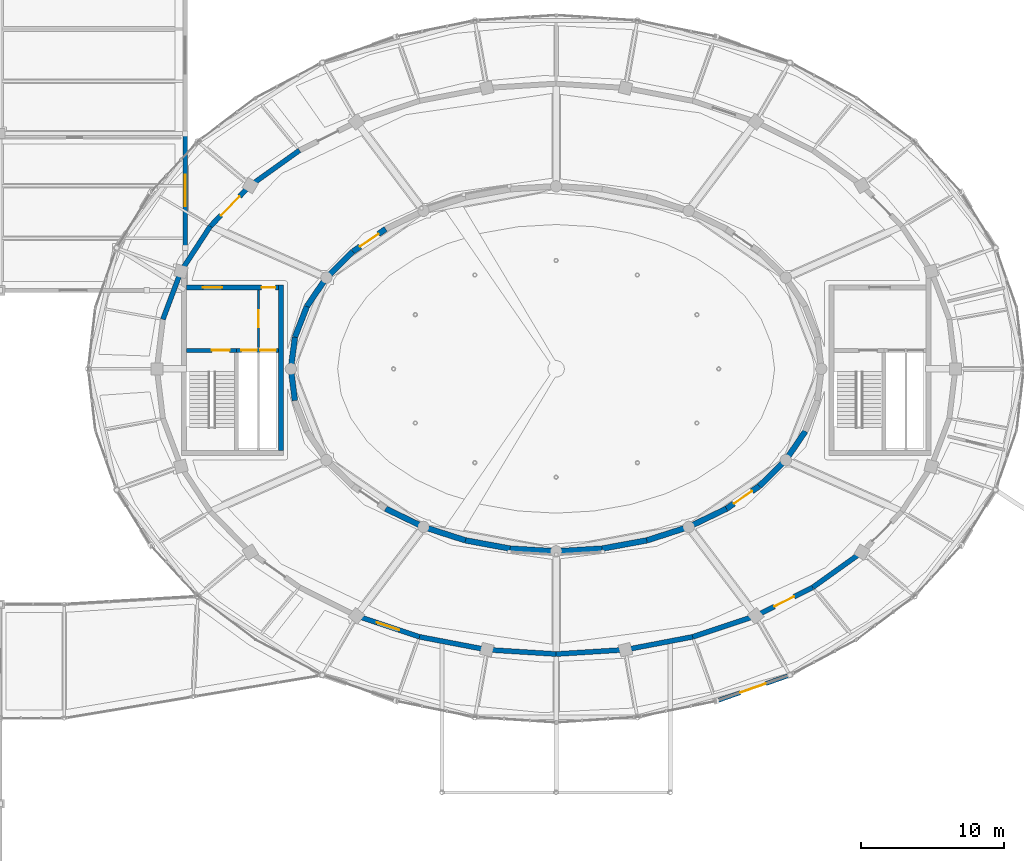
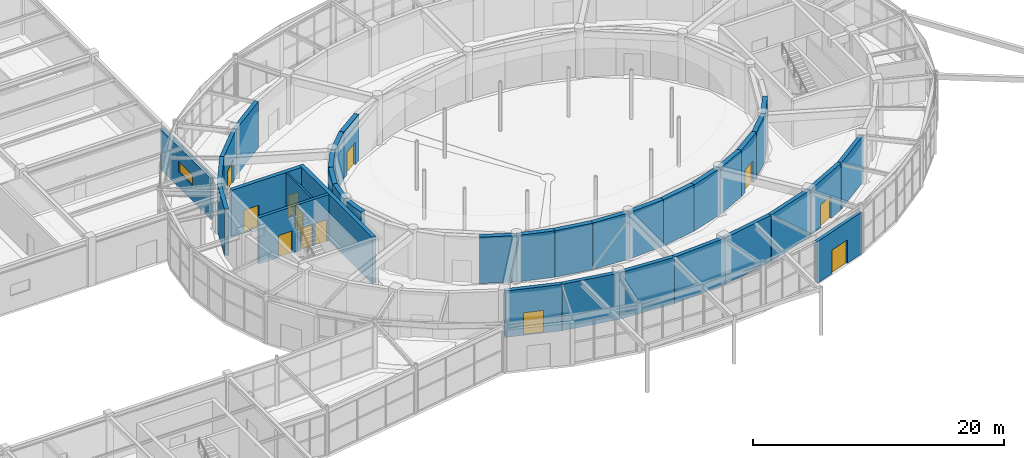
# One storey, part 88 of 108: 36 walls, 12 doors, 1 window, 13 openings.
"""IFC4 building model written with IfcOpenShell, lengths in metres."""

from ifc_helpers import new_model, si_unit, direction, frame, frame_2d, origin, place, context, subcontext, project, spatial, rectangle, extrude, material, layer, layer_set, type_object, element, fill, save


model = new_model("IFC4")

# Units and contexts
model_context = context("Model", 3, precision=1e-05, world=origin(), true_north=direction((0.0, 1.0)))
body_context = subcontext(model_context, "Body", "Model", "MODEL_VIEW")
ifc_project = project(units=[si_unit("LENGTHUNIT", "METRE"), si_unit("AREAUNIT", "SQUARE_METRE"), si_unit("VOLUMEUNIT", "CUBIC_METRE"), si_unit("PLANEANGLEUNIT", "RADIAN"), si_unit("MASSUNIT", "GRAM", prefix="KILO")], contexts=[model_context])

# Site, building, storey
site_placement = place(None, origin())
site = spatial("IfcSite", under=ifc_project, at=site_placement, CompositionType="ELEMENT")
building_placement = place(site_placement, origin())
building = spatial("IfcBuilding", under=site, at=building_placement, Name="Tarnveldt Headland Concert Hall", CompositionType="ELEMENT")
storey_placement = place(building_placement, origin())
storey = spatial("IfcBuildingStorey", under=building, at=storey_placement, Name="L00", CompositionType="ELEMENT", Elevation=0.0)

# Wall, opening, door
ifc_material_1 = material(Name="Concrete C40/50", Category="concrete")
ifc_layer_1 = layer(ifc_material_1, 0.39990234375, Name="Concrete C40/50", Category="concrete")
ifc_layer_set_1 = layer_set([ifc_layer_1], Name="Concrete C40/50")
wall_type_1 = type_object("IfcWallType", Name="WL-AC400", PredefinedType="SOLIDWALL", material=ifc_layer_set_1)
wall_1_placement = place(storey_placement, frame((71.544189453125, 64.305419921875, 0.0), z_axis=(0.0, 0.0, 1.0), x_axis=(-0.823780742291, -0.566908536388, 0.0)))
wall_1 = element("IfcWall", 1, at=wall_1_placement, inside=storey, type_object=wall_type_1, Name="Acoustic inner box wall L00-14", PredefinedType="SOLIDWALL", context=body_context, shape_type="SweptSolid", body=[
    extrude(rectangle(XDim=2.782958984375, YDim=0.39990234375, at=frame_2d((1.3916015625, 0.0))), origin(), (0.0, 0.0, 1.0), 4.52001953125),
])
opening_1_placement = place(wall_1_placement, frame((0.616455078125, 0.0, 0.0)))
opening_1 = element("IfcOpeningElement", 2, at=opening_1_placement, cuts=wall_1, Name="Opening AD-I030", PredefinedType="OPENING", context=body_context, shape_type="SweptSolid", body=[
    extrude(rectangle(XDim=1.550048828125, YDim=2.179931640625, at=frame_2d((0.77490234375, 1.08984375))), frame((0.0, 0.2099609375, 0.0), z_axis=(0.0, -1.0, 0.0), x_axis=(1.0, 0.0, 0.0)), (0.0, 0.0, 1.0), 0.419921875),
])
ifc_material_2 = material(Name="Treated East African mvule hardwood", Category="wood")
door_type_1 = type_object("IfcDoorType", Name="DR-AC155", OperationType="NOTDEFINED", PredefinedType="DOOR", material=ifc_material_2)
door_1_placement = place(opening_1_placement, origin())
door_1 = element("IfcDoor", 3, at=door_1_placement, inside=storey, type_object=door_type_1, Name="Auditorium sound-lock vomitory door L00-14", OperationType="SINGLE_SWING_RIGHT", OverallHeight=2.179931640625, OverallWidth=1.550048828125, PredefinedType="DOOR", context=body_context, shape_type="SweptSolid", body=[
    extrude(rectangle(XDim=1.550048828125, YDim=2.179931640625, at=frame_2d((0.77490234375, 1.08984375))), frame((0.0, 0.02490234375, 0.0), z_axis=(0.0, -1.0, 0.0), x_axis=(1.0, 0.0, 0.0)), (0.0, 0.0, 1.0), 0.050048828125),
])
fill(opening_1, door_1)

# Walls
wall_2_placement = place(storey_placement, frame((69.251708984375, 62.727783203125, 0.0), z_axis=(0.0, 0.0, 1.0), x_axis=(-0.713212431679, -0.700947949065, 0.0)))
element("IfcWall", 4, at=wall_2_placement, inside=storey, type_object=wall_type_1, Name="Acoustic inner box wall L00-15", PredefinedType="SOLIDWALL", context=body_context, shape_type="SweptSolid", body=[
    extrude(rectangle(XDim=2.607666015625, YDim=0.39990234375, at=frame_2d((1.3037109375, 0.0))), origin(), (0.0, 0.0, 1.0), 4.52001953125),
])
wall_3_placement = place(storey_placement, frame((67.391845703125, 60.89990234375, 0.0), z_axis=(0.0, 0.0, 1.0), x_axis=(-0.560958648975, -0.827843822312, 0.0)))
element("IfcWall", 5, at=wall_3_placement, inside=storey, type_object=wall_type_1, Name="Acoustic inner box wall L00-16", PredefinedType="SOLIDWALL", context=body_context, shape_type="SweptSolid", body=[
    extrude(rectangle(XDim=2.4423828125, YDim=0.39990234375, at=frame_2d((1.22119140625, 0.0))), origin(), (0.0, 0.0, 1.0), 4.52001953125),
])
wall_4_placement = place(storey_placement, frame((66.021728515625, 58.8779296875, 0.0), z_axis=(0.0, 0.0, 1.0), x_axis=(-0.362802811216, -0.931865934657, 0.0)))
element("IfcWall", 6, at=wall_4_placement, inside=storey, type_object=wall_type_1, Name="Acoustic inner box wall L00-17", PredefinedType="SOLIDWALL", context=body_context, shape_type="SweptSolid", body=[
    extrude(rectangle(XDim=2.312744140625, YDim=0.39990234375, at=frame_2d((1.15625, 0.0))), origin(), (0.0, 0.0, 1.0), 4.52001953125),
])
for number, where, z_axis, x_axis, name in (
    (7, (65.1826171875, 56.72265625, 0.0), (0.0, 0.0, 1.0), (-0.126180195213, -0.992007337844, 0.0), "Acoustic inner box wall L00-18"),
    (8, (64.89990234375, 54.5, 0.0), (0.0, 0.0, 1.0), (0.126180195213, -0.992007337844, 0.0), "Acoustic inner box wall L00-19"),
):
    element("IfcWall", number, at=place(storey_placement, frame(where, z_axis=z_axis, x_axis=x_axis)), inside=storey, type_object=wall_type_1, Name=name, PredefinedType="SOLIDWALL", context=body_context, shape_type="SweptSolid", body=[
        extrude(rectangle(XDim=2.240478515625, YDim=0.39990234375, at=frame_2d((1.1201171875, 0.0))), origin(), (0.0, 0.0, 1.0), 4.52001953125),
    ])
wall_5_placement = place(storey_placement, frame((71.544189453125, 44.694580078125, 0.0), z_axis=(0.0, 0.0, 1.0), x_axis=(0.900857755122, -0.434114391648, 0.0)))
element("IfcWall", 9, at=wall_5_placement, inside=storey, type_object=wall_type_1, Name="Acoustic inner box wall L00-24", PredefinedType="SOLIDWALL", context=body_context, shape_type="SweptSolid", body=[
    extrude(rectangle(XDim=2.947998046875, YDim=0.39990234375, at=frame_2d((1.47412109375, 0.0))), origin(), (0.0, 0.0, 1.0), 4.52001953125),
])
wall_6_placement = place(storey_placement, frame((74.199951171875, 43.414794921875, 0.0), z_axis=(0.0, 0.0, 1.0), x_axis=(0.952183186678, -0.305527705795, 0.0)))
element("IfcWall", 10, at=wall_6_placement, inside=storey, type_object=wall_type_1, Name="Acoustic inner box wall L00-25", PredefinedType="SOLIDWALL", context=body_context, shape_type="SweptSolid", body=[
    extrude(rectangle(XDim=3.0859375, YDim=0.39990234375, at=frame_2d((1.54296875, 0.0))), origin(), (0.0, 0.0, 1.0), 4.52001953125),
])
wall_7_placement = place(storey_placement, frame((77.138427734375, 42.471923828125, 0.0), z_axis=(0.0, 0.0, 1.0), x_axis=(0.9834240594, -0.18132048807, 0.0)))
element("IfcWall", 11, at=wall_7_placement, inside=storey, type_object=wall_type_1, Name="Acoustic inner box wall L00-26", PredefinedType="SOLIDWALL", context=body_context, shape_type="SweptSolid", body=[
    extrude(rectangle(XDim=3.184326171875, YDim=0.39990234375, at=frame_2d((1.59228515625, 0.0))), origin(), (0.0, 0.0, 1.0), 4.52001953125),
])
for number, where, z_axis, x_axis, name in (
    (12, (80.27001953125, 41.89453125, 0.0), (0.0, 0.0, 1.0), (0.99819038223, -0.060132859761, 0.0), "Acoustic inner box wall L00-27"),
    (13, (83.5, 41.699951171875, 0.0), (0.0, 0.0, 1.0), (0.99819038223, 0.060132859761, 0.0), "Acoustic inner box wall L00-28"),
):
    element("IfcWall", number, at=place(storey_placement, frame(where, z_axis=z_axis, x_axis=x_axis)), inside=storey, type_object=wall_type_1, Name=name, PredefinedType="SOLIDWALL", context=body_context, shape_type="SweptSolid", body=[
        extrude(rectangle(XDim=3.23583984375, YDim=0.39990234375, at=frame_2d((1.617919921875, 0.0))), origin(), (0.0, 0.0, 1.0), 4.52001953125),
    ])
wall_8_placement = place(storey_placement, frame((86.72998046875, 41.89453125, 0.0), z_axis=(0.0, 0.0, 1.0), x_axis=(0.9834240594, 0.18132048807, 0.0)))
element("IfcWall", 14, at=wall_8_placement, inside=storey, type_object=wall_type_1, Name="Acoustic inner box wall L00-29", PredefinedType="SOLIDWALL", context=body_context, shape_type="SweptSolid", body=[
    extrude(rectangle(XDim=3.184326171875, YDim=0.39990234375, at=frame_2d((1.59228515625, 0.0))), origin(), (0.0, 0.0, 1.0), 4.52001953125),
])
wall_9_placement = place(storey_placement, frame((89.861572265625, 42.471923828125, 0.0), z_axis=(0.0, 0.0, 1.0), x_axis=(0.952183186678, 0.305527705795, 0.0)))
element("IfcWall", 15, at=wall_9_placement, inside=storey, type_object=wall_type_1, Name="Acoustic inner box wall L00-30", PredefinedType="SOLIDWALL", context=body_context, shape_type="SweptSolid", body=[
    extrude(rectangle(XDim=3.0859375, YDim=0.39990234375, at=frame_2d((1.54296875, 0.0))), origin(), (0.0, 0.0, 1.0), 4.52001953125),
])
wall_10_placement = place(storey_placement, frame((92.800048828125, 43.414794921875, 0.0), z_axis=(0.0, 0.0, 1.0), x_axis=(0.900857755122, 0.434114391648, 0.0)))
element("IfcWall", 16, at=wall_10_placement, inside=storey, type_object=wall_type_1, Name="Acoustic inner box wall L00-31", PredefinedType="SOLIDWALL", context=body_context, shape_type="SweptSolid", body=[
    extrude(rectangle(XDim=2.947998046875, YDim=0.39990234375, at=frame_2d((1.47412109375, 0.0))), origin(), (0.0, 0.0, 1.0), 4.52001953125),
])

# Wall, opening, door
wall_11_placement = place(storey_placement, frame((95.455810546875, 44.694580078125, 0.0), z_axis=(0.0, 0.0, 1.0), x_axis=(0.823780742291, 0.566908536388, 0.0)))
wall_11 = element("IfcWall", 17, at=wall_11_placement, inside=storey, type_object=wall_type_1, Name="Acoustic inner box wall L00-32", PredefinedType="SOLIDWALL", context=body_context, shape_type="SweptSolid", body=[
    extrude(rectangle(XDim=2.782958984375, YDim=0.39990234375, at=frame_2d((1.3916015625, 0.0))), origin(), (0.0, 0.0, 1.0), 4.52001953125),
])
opening_2_placement = place(wall_11_placement, frame((0.616455078125, 0.0, 0.0)))
opening_2 = element("IfcOpeningElement", 18, at=opening_2_placement, cuts=wall_11, Name="Opening AD-I032", PredefinedType="OPENING", context=body_context, shape_type="SweptSolid", body=[
    extrude(rectangle(XDim=1.550048828125, YDim=2.179931640625, at=frame_2d((0.77490234375, 1.08984375))), frame((0.0, 0.2099609375, 0.0), z_axis=(0.0, -1.0, 0.0), x_axis=(1.0, 0.0, 0.0)), (0.0, 0.0, 1.0), 0.419921875),
])
door_2_placement = place(opening_2_placement, origin())
door_2 = element("IfcDoor", 19, at=door_2_placement, inside=storey, type_object=door_type_1, Name="Auditorium sound-lock vomitory door L00-32", OperationType="SINGLE_SWING_RIGHT", OverallHeight=2.179931640625, OverallWidth=1.550048828125, PredefinedType="DOOR", context=body_context, shape_type="SweptSolid", body=[
    extrude(rectangle(XDim=1.550048828125, YDim=2.179931640625, at=frame_2d((0.77490234375, 1.08984375))), frame((0.0, 0.02490234375, 0.0), z_axis=(0.0, -1.0, 0.0), x_axis=(1.0, 0.0, 0.0)), (0.0, 0.0, 1.0), 0.050048828125),
])
fill(opening_2, door_2)

# Walls
wall_12_placement = place(storey_placement, frame((97.748291015625, 46.272216796875, 0.0), z_axis=(0.0, 0.0, 1.0), x_axis=(0.713212431679, 0.700947949065, 0.0)))
element("IfcWall", 20, at=wall_12_placement, inside=storey, type_object=wall_type_1, Name="Acoustic inner box wall L00-33", PredefinedType="SOLIDWALL", context=body_context, shape_type="SweptSolid", body=[
    extrude(rectangle(XDim=2.607666015625, YDim=0.39990234375, at=frame_2d((1.3037109375, 0.0))), origin(), (0.0, 0.0, 1.0), 4.52001953125),
])
wall_13_placement = place(storey_placement, frame((99.608154296875, 48.10009765625, 0.0), z_axis=(0.0, 0.0, 1.0), x_axis=(0.560958648975, 0.827843822312, 0.0)))
element("IfcWall", 21, at=wall_13_placement, inside=storey, type_object=wall_type_1, Name="Acoustic inner box wall L00-34", PredefinedType="SOLIDWALL", context=body_context, shape_type="SweptSolid", body=[
    extrude(rectangle(XDim=2.4423828125, YDim=0.39990234375, at=frame_2d((1.22119140625, 0.0))), origin(), (0.0, 0.0, 1.0), 4.52001953125),
])
ifc_layer_2 = layer(ifc_material_1, 0.35009765625, Name="Concrete C40/50", Category="concrete")
ifc_layer_set_2 = layer_set([ifc_layer_2], Name="Concrete C40/50")
wall_type_2 = type_object("IfcWallType", Name="WL-CR350", PredefinedType="SHEAR", material=ifc_layer_set_2)
wall_14_placement = place(storey_placement, frame((65.501953125, 69.82080078125, 0.0), z_axis=(0.0, 0.0, 1.0), x_axis=(-0.813737360708, -0.581232748378, 0.0)))
element("IfcWall", 22, at=wall_14_placement, inside=storey, type_object=wall_type_2, Name="Symphony drum shear wall L00-14", PredefinedType="SHEAR", context=body_context, shape_type="SweptSolid", body=[
    extrude(rectangle(XDim=4.2412109375, YDim=0.35009765625, at=frame_2d((2.12060546875, 0.0))), origin(), (0.0, 0.0, 1.0), 4.52001953125),
])

# Wall, opening, door
wall_15_placement = place(storey_placement, frame((62.05078125, 67.355712890625, 0.0), z_axis=(0.0, 0.0, 1.0), x_axis=(-0.700051268358, -0.714092586203, 0.0)))
wall_15 = element("IfcWall", 23, at=wall_15_placement, inside=storey, type_object=wall_type_2, Name="Symphony drum shear wall L00-15", PredefinedType="SHEAR", context=body_context, shape_type="SweptSolid", body=[
    extrude(rectangle(XDim=3.9990234375, YDim=0.35009765625, at=frame_2d((1.99951171875, 0.0))), origin(), (0.0, 0.0, 1.0), 4.52001953125),
])
opening_3_placement = place(wall_15_placement, frame((1.074462890625, 0.0, 0.0)))
opening_3 = element("IfcOpeningElement", 24, at=opening_3_placement, cuts=wall_15, Name="Opening AD-O008", PredefinedType="OPENING", context=body_context, shape_type="SweptSolid", body=[
    extrude(rectangle(XDim=1.85009765625, YDim=2.300048828125, at=frame_2d((0.925048828125, 1.14990234375))), frame((0.0, 0.18505859375, 0.0), z_axis=(0.0, -1.0, 0.0), x_axis=(1.0, 0.0, 0.0)), (0.0, 0.0, 1.0), 0.3701171875),
])
door_type_2 = type_object("IfcDoorType", Name="DR-AC185", OperationType="NOTDEFINED", PredefinedType="DOOR", material=ifc_material_2)
door_3_placement = place(opening_3_placement, origin())
door_3 = element("IfcDoor", 25, at=door_3_placement, inside=storey, type_object=door_type_2, Name="Drum concourse acoustic door L00-15", OperationType="SINGLE_SWING_RIGHT", OverallHeight=2.300048828125, OverallWidth=1.85009765625, PredefinedType="DOOR", context=body_context, shape_type="SweptSolid", body=[
    extrude(rectangle(XDim=1.85009765625, YDim=2.300048828125, at=frame_2d((0.925048828125, 1.14990234375))), frame((0.0, 0.02490234375, 0.0), z_axis=(0.0, -1.0, 0.0), x_axis=(1.0, 0.0, 0.0)), (0.0, 0.0, 1.0), 0.050048828125),
])
fill(opening_3, door_3)

# Walls
wall_16_placement = place(storey_placement, frame((59.251220703125, 64.5, 0.0), z_axis=(0.0, 0.0, 1.0), x_axis=(-0.546611158382, -0.837386554425, 0.0)))
element("IfcWall", 26, at=wall_16_placement, inside=storey, type_object=wall_type_2, Name="Symphony drum shear wall L00-16", PredefinedType="SHEAR", context=body_context, shape_type="SweptSolid", body=[
    extrude(rectangle(XDim=3.773193359375, YDim=0.35009765625, at=frame_2d((1.88671875, 0.0))), origin(), (0.0, 0.0, 1.0), 4.52001953125),
])
wall_17_placement = place(storey_placement, frame((57.188720703125, 61.34033203125, 0.0), z_axis=(0.0, 0.0, 1.0), x_axis=(-0.351279653979, -0.936270583058, 0.0)))
element("IfcWall", 27, at=wall_17_placement, inside=storey, type_object=wall_type_2, Name="Symphony drum shear wall L00-17", PredefinedType="SHEAR", context=body_context, shape_type="SweptSolid", body=[
    extrude(rectangle(XDim=3.5966796875, YDim=0.35009765625, at=frame_2d((1.79833984375, 0.0))), origin(), (0.0, 0.0, 1.0), 4.52001953125),
])

# Wall, opening, door
wall_18_placement = place(storey_placement, frame((69.5, 37.179443359375, 0.0), z_axis=(0.0, 0.0, 1.0), x_axis=(0.948751350732, -0.316023534699, 0.0)))
wall_18 = element("IfcWall", 28, at=wall_18_placement, inside=storey, type_object=wall_type_2, Name="Symphony drum shear wall L00-25", PredefinedType="SHEAR", context=body_context, shape_type="SweptSolid", body=[
    extrude(rectangle(XDim=4.662353515625, YDim=0.35009765625, at=frame_2d((2.3310546875, 0.0))), origin(), (0.0, 0.0, 1.0), 4.52001953125),
])
opening_4_placement = place(wall_18_placement, frame((1.506103515625, 0.0, 0.0)))
opening_4 = element("IfcOpeningElement", 29, at=opening_4_placement, cuts=wall_18, Name="Opening AD-O010", PredefinedType="OPENING", context=body_context, shape_type="SweptSolid", body=[
    extrude(rectangle(XDim=1.64990234375, YDim=2.199951171875, at=frame_2d((0.824951171875, 1.10009765625))), frame((0.0, 0.18505859375, 0.0), z_axis=(0.0, -1.0, 0.0), x_axis=(1.0, 0.0, 0.0)), (0.0, 0.0, 1.0), 0.3701171875),
])
door_type_3 = type_object("IfcDoorType", Name="DR-AC165", OperationType="NOTDEFINED", PredefinedType="DOOR", material=ifc_material_2)
door_4_placement = place(opening_4_placement, origin())
door_4 = element("IfcDoor", 30, at=door_4_placement, inside=storey, type_object=door_type_3, Name="Drum concourse acoustic door L00-25", OperationType="SINGLE_SWING_RIGHT", OverallHeight=2.199951171875, OverallWidth=1.64990234375, PredefinedType="DOOR", context=body_context, shape_type="SweptSolid", body=[
    extrude(rectangle(XDim=1.64990234375, YDim=2.199951171875, at=frame_2d((0.824951171875, 1.10009765625))), frame((0.0, 0.02490234375, 0.0), z_axis=(0.0, -1.0, 0.0), x_axis=(1.0, 0.0, 0.0)), (0.0, 0.0, 1.0), 0.050048828125),
])
fill(opening_4, door_4)

# Walls
wall_19_placement = place(storey_placement, frame((73.92333984375, 35.7060546875, 0.0), z_axis=(0.0, 0.0, 1.0), x_axis=(0.982172578083, -0.187981453503, 0.0)))
element("IfcWall", 31, at=wall_19_placement, inside=storey, type_object=wall_type_2, Name="Symphony drum shear wall L00-26", PredefinedType="SHEAR", context=body_context, shape_type="SweptSolid", body=[
    extrude(rectangle(XDim=4.80029296875, YDim=0.35009765625, at=frame_2d((2.400146484375, 0.0))), origin(), (0.0, 0.0, 1.0), 4.52001953125),
])
for number, where, z_axis, x_axis, name in (
    (32, (78.637939453125, 34.8037109375, 0.0), (0.0, 0.0, 1.0), (0.998054722924, -0.06234396562, 0.0), "Symphony drum shear wall L00-27"),
    (33, (83.5, 34.5, 0.0), (0.0, 0.0, 1.0), (0.998054722924, 0.06234396562, 0.0), "Symphony drum shear wall L00-28"),
):
    element("IfcWall", number, at=place(storey_placement, frame(where, z_axis=z_axis, x_axis=x_axis)), inside=storey, type_object=wall_type_2, Name=name, PredefinedType="SHEAR", context=body_context, shape_type="SweptSolid", body=[
        extrude(rectangle(XDim=4.87158203125, YDim=0.35009765625, at=frame_2d((2.435791015625, 0.0))), origin(), (0.0, 0.0, 1.0), 4.52001953125),
    ])
wall_20_placement = place(storey_placement, frame((88.362060546875, 34.8037109375, 0.0), z_axis=(0.0, 0.0, 1.0), x_axis=(0.982172578083, 0.187981453503, 0.0)))
element("IfcWall", 34, at=wall_20_placement, inside=storey, type_object=wall_type_2, Name="Symphony drum shear wall L00-29", PredefinedType="SHEAR", context=body_context, shape_type="SweptSolid", body=[
    extrude(rectangle(XDim=4.80029296875, YDim=0.35009765625, at=frame_2d((2.400146484375, 0.0))), origin(), (0.0, 0.0, 1.0), 4.52001953125),
])
wall_21_placement = place(storey_placement, frame((93.07666015625, 35.7060546875, 0.0), z_axis=(0.0, 0.0, 1.0), x_axis=(0.948751350732, 0.316023534699, 0.0)))
element("IfcWall", 35, at=wall_21_placement, inside=storey, type_object=wall_type_2, Name="Symphony drum shear wall L00-30", PredefinedType="SHEAR", context=body_context, shape_type="SweptSolid", body=[
    extrude(rectangle(XDim=4.662353515625, YDim=0.35009765625, at=frame_2d((2.3310546875, 0.0))), origin(), (0.0, 0.0, 1.0), 4.52001953125),
])

# Wall, opening, door
wall_22_placement = place(storey_placement, frame((97.5, 37.179443359375, 0.0), z_axis=(0.0, 0.0, 1.0), x_axis=(0.894361644392, 0.447344664705, 0.0)))
wall_22 = element("IfcWall", 36, at=wall_22_placement, inside=storey, type_object=wall_type_2, Name="Symphony drum shear wall L00-31", PredefinedType="SHEAR", context=body_context, shape_type="SweptSolid", body=[
    extrude(rectangle(XDim=4.47021484375, YDim=0.35009765625, at=frame_2d((2.235107421875, 0.0))), origin(), (0.0, 0.0, 1.0), 4.52001953125),
])
opening_5_placement = place(wall_22_placement, frame((1.460205078125, 0.0, 0.0)))
opening_5 = element("IfcOpeningElement", 37, at=opening_5_placement, cuts=wall_22, Name="Opening AD-O011", PredefinedType="OPENING", context=body_context, shape_type="SweptSolid", body=[
    extrude(rectangle(XDim=1.550048828125, YDim=2.179931640625, at=frame_2d((0.77490234375, 1.08984375))), frame((0.0, 0.18505859375, 0.0), z_axis=(0.0, -1.0, 0.0), x_axis=(1.0, 0.0, 0.0)), (0.0, 0.0, 1.0), 0.3701171875),
])
door_5_placement = place(opening_5_placement, origin())
door_5 = element("IfcDoor", 38, at=door_5_placement, inside=storey, type_object=door_type_1, Name="Drum concourse acoustic door L00-31", OperationType="SINGLE_SWING_LEFT", OverallHeight=2.179931640625, OverallWidth=1.550048828125, PredefinedType="DOOR", context=body_context, shape_type="SweptSolid", body=[
    extrude(rectangle(XDim=1.550048828125, YDim=2.179931640625, at=frame_2d((0.77490234375, 1.08984375))), frame((0.0, 0.02490234375, 0.0), z_axis=(0.0, -1.0, 0.0), x_axis=(1.0, 0.0, 0.0)), (0.0, 0.0, 1.0), 0.050048828125),
])
fill(opening_5, door_5)

# Wall
wall_23_placement = place(storey_placement, frame((101.498046875, 39.17919921875, 0.0), z_axis=(0.0, 0.0, 1.0), x_axis=(0.813737360708, 0.581232748378, 0.0)))
element("IfcWall", 39, at=wall_23_placement, inside=storey, type_object=wall_type_2, Name="Symphony drum shear wall L00-32", PredefinedType="SHEAR", context=body_context, shape_type="SweptSolid", body=[
    extrude(rectangle(XDim=4.2412109375, YDim=0.35009765625, at=frame_2d((2.12060546875, 0.0))), origin(), (0.0, 0.0, 1.0), 4.52001953125),
])

# Wall, openings, doors
wall_24_placement = place(storey_placement, frame((57.574951171875, 60.199951171875, 0.0), z_axis=(0.0, 0.0, 1.0), x_axis=(1.0, 0.0, 0.0)))
wall_24 = element("IfcWall", 40, at=wall_24_placement, inside=storey, type_object=wall_type_2, Name="Core C1 north shear wall L00", PredefinedType="SHEAR", context=body_context, shape_type="SweptSolid", body=[
    extrude(rectangle(XDim=6.449951171875, YDim=0.35009765625, at=frame_2d((3.22509765625, 0.0))), origin(), (0.0, 0.0, 1.0), 4.52001953125),
])
opening_6_placement = place(wall_24_placement, frame((1.14990234375, 0.0, 0.0)))
opening_6 = element("IfcOpeningElement", 41, at=opening_6_placement, cuts=wall_24, Name="Opening FFD-C1-L00", PredefinedType="OPENING", context=body_context, shape_type="SweptSolid", body=[
    extrude(rectangle(XDim=1.35009765625, YDim=2.199951171875, at=frame_2d((0.675048828125, 1.10009765625))), frame((0.0, 0.18505859375, 0.0), z_axis=(0.0, -1.0, 0.0), x_axis=(1.0, 0.0, 0.0)), (0.0, 0.0, 1.0), 0.3701171875),
])
opening_7_placement = place(wall_24_placement, frame((5.280029296875, 0.0, 0.0)))
opening_7 = element("IfcOpeningElement", 42, at=opening_7_placement, cuts=wall_24, Name="Opening LBD-C1-L00", PredefinedType="OPENING", context=body_context, shape_type="SweptSolid", body=[
    extrude(rectangle(XDim=0.949951171875, YDim=2.1201171875, at=frame_2d((0.47509765625, 1.06005859375))), frame((0.0, 0.18505859375, 0.0), z_axis=(0.0, -1.0, 0.0), x_axis=(1.0, 0.0, 0.0)), (0.0, 0.0, 1.0), 0.3701171875),
])
ifc_material_3 = material(Name="Galvanised painted steel sheet", Category="steel")
door_type_4 = type_object("IfcDoorType", Name="DR-FF135", OperationType="NOTDEFINED", PredefinedType="DOOR", material=ifc_material_3)
door_6_placement = place(opening_6_placement, origin())
door_6 = element("IfcDoor", 43, at=door_6_placement, inside=storey, type_object=door_type_4, Name="Core C1 firefighting lobby entrance door L00", OperationType="SINGLE_SWING_LEFT", OverallHeight=2.199951171875, OverallWidth=1.35009765625, PredefinedType="DOOR", context=body_context, shape_type="SweptSolid", body=[
    extrude(rectangle(XDim=1.35009765625, YDim=2.199951171875, at=frame_2d((0.675048828125, 1.10009765625))), frame((0.0, 0.02490234375, 0.0), z_axis=(0.0, -1.0, 0.0), x_axis=(1.0, 0.0, 0.0)), (0.0, 0.0, 1.0), 0.050048828125),
])
fill(opening_6, door_6)
door_type_5 = type_object("IfcDoorType", Name="DR-RM095", OperationType="NOTDEFINED", PredefinedType="DOOR", material=ifc_material_2)
door_7_placement = place(opening_7_placement, origin())
door_7 = element("IfcDoor", 44, at=door_7_placement, inside=storey, type_object=door_type_5, Name="Core C1 lift lobby entrance door L00", OperationType="SINGLE_SWING_RIGHT", OverallHeight=2.1201171875, OverallWidth=0.949951171875, PredefinedType="DOOR", context=body_context, shape_type="SweptSolid", body=[
    extrude(rectangle(XDim=0.949951171875, YDim=2.1201171875, at=frame_2d((0.47509765625, 1.06005859375))), frame((0.0, 0.02490234375, 0.0), z_axis=(0.0, -1.0, 0.0), x_axis=(1.0, 0.0, 0.0)), (0.0, 0.0, 1.0), 0.050048828125),
])
fill(opening_7, door_7)

# Wall
wall_25_placement = place(storey_placement, frame((64.199951171875, 48.77490234375, 0.0), z_axis=(0.0, 0.0, 1.0), x_axis=(0.0, 1.0, 0.0)))
element("IfcWall", 45, at=wall_25_placement, inside=storey, type_object=wall_type_2, Name="Core C1 east shear wall L00", PredefinedType="SHEAR", context=body_context, shape_type="SweptSolid", body=[
    extrude(rectangle(XDim=11.60009765625, YDim=0.35009765625, at=frame_2d((5.800048828125, 0.0))), origin(), (0.0, 0.0, 1.0), 4.52001953125),
])

# Wall, opening, door
ifc_material_4 = material(Name="Coral-toned precast concrete C40/50", Category="concrete")
ifc_layer_3 = layer(ifc_material_4, 0.300048828125, Name="Coral-toned precast concrete C40/50", Category="concrete")
ifc_layer_set_3 = layer_set([ifc_layer_3], Name="Coral-toned precast concrete C40/50")
wall_type_3 = type_object("IfcWallType", Name="WL-EX300", PredefinedType="SOLIDWALL", material=ifc_layer_set_3)
wall_26_placement = place(storey_placement, frame((99.881103515625, 33.015869140625, 0.0), z_axis=(0.0, 0.0, 1.0), x_axis=(-0.943104319689, -0.332496980713, 0.0)))
wall_26 = element("IfcWall", 46, at=wall_26_placement, inside=storey, type_object=wall_type_3, Name="External precast wall L00-43", PredefinedType="SOLIDWALL", context=body_context, shape_type="SweptSolid", body=[
    extrude(rectangle(XDim=5.4541015625, YDim=0.300048828125, at=frame_2d((2.72705078125, 0.0))), origin(), (0.0, 0.0, 1.0), 4.05810546875),
])
opening_8_placement = place(wall_26_placement, frame((1.777099609375, 0.0, 0.0)))
opening_8 = element("IfcOpeningElement", 47, at=opening_8_placement, cuts=wall_26, Name="Opening EX-07", PredefinedType="OPENING", context=body_context, shape_type="SweptSolid", body=[
    extrude(rectangle(XDim=1.89990234375, YDim=2.300048828125, at=frame_2d((0.949951171875, 1.14990234375))), frame((0.0, 0.159912109375, 0.0), z_axis=(0.0, -1.0, 0.0), x_axis=(1.0, 0.0, 0.0)), (0.0, 0.0, 1.0), 0.320068359375),
])
ifc_material_5 = material(Name="Marine-anodised aluminium EN AW-6063-T6", Category="aluminium")
door_type_6 = type_object("IfcDoorType", Name="DR-EX190", OperationType="NOTDEFINED", PredefinedType="DOOR", material=ifc_material_5)
door_8_placement = place(opening_8_placement, origin())
door_8 = element("IfcDoor", 48, at=door_8_placement, inside=storey, type_object=door_type_6, Name="Foyer final exit door EX-07", OperationType="DOUBLE_DOOR_SINGLE_SWING", OverallHeight=2.300048828125, OverallWidth=1.89990234375, PredefinedType="DOOR", context=body_context, shape_type="SweptSolid", body=[
    extrude(rectangle(XDim=1.89990234375, YDim=2.300048828125, at=frame_2d((0.949951171875, 1.14990234375))), frame((0.0, 0.02490234375, 0.0), z_axis=(0.0, -1.0, 0.0), x_axis=(1.0, 0.0, 0.0)), (0.0, 0.0, 1.0), 0.050048828125),
])
fill(opening_8, door_8)

# Wall, opening, window
wall_27_placement = place(storey_placement, frame((57.5, 70.97998046875, 0.0), z_axis=(0.0, 0.0, 1.0), x_axis=(0.0, -1.0, 0.0)))
wall_27 = element("IfcWall", 49, at=wall_27_placement, inside=storey, type_object=wall_type_3, Name="External precast wall L00-268", PredefinedType="SOLIDWALL", context=body_context, shape_type="SweptSolid", body=[
    extrude(rectangle(XDim=7.9599609375, YDim=0.300048828125, at=frame_2d((3.97998046875, 0.0))), origin(), (0.0, 0.0, 1.0), 3.9580078125),
])
opening_9_placement = place(wall_27_placement, frame((2.8798828125, 0.0, 1.5)))
opening_9 = element("IfcOpeningElement", 50, at=opening_9_placement, cuts=wall_27, Name="Opening W-R109", PredefinedType="OPENING", context=body_context, shape_type="SweptSolid", body=[
    extrude(rectangle(XDim=2.199951171875, YDim=1.050048828125, at=frame_2d((1.10009765625, 0.52490234375))), frame((0.0, 0.159912109375, 0.0), z_axis=(0.0, -1.0, 0.0), x_axis=(1.0, 0.0, 0.0)), (0.0, 0.0, 1.0), 0.320068359375),
])
ifc_material_6 = material(Name="Acoustic laminated low-iron double glazing", Category="glass")
window_type = type_object("IfcWindowType", Name="WN-25", PartitioningType="SINGLE_PANEL", PredefinedType="WINDOW", material=ifc_material_6)
window_placement = place(opening_9_placement, origin())
window = element("IfcWindow", 51, at=window_placement, inside=storey, type_object=window_type, Name="Rehearsal wing acoustic window L00-E1", OverallHeight=1.050048828125, OverallWidth=2.199951171875, PartitioningType="SINGLE_PANEL", PredefinedType="WINDOW", context=body_context, shape_type="SweptSolid", body=[
    extrude(rectangle(XDim=2.199951171875, YDim=1.050048828125, at=frame_2d((1.10009765625, 0.52490234375))), frame((0.0, 0.030029296875, 0.0), z_axis=(0.0, -1.0, 0.0), x_axis=(1.0, 0.0, 0.0)), (0.0, 0.0, 1.0), 0.06005859375),
])
fill(opening_9, window)

# Wall, opening, door
ifc_material_7 = material(Name="Acoustic multi-layer gypsum and mineral-wool partition", Category="gypsum")
ifc_layer_4 = layer(ifc_material_7, 0.1650390625, Name="Acoustic multi-layer gypsum and mineral-wool partition", Category="gypsum")
ifc_layer_set_4 = layer_set([ifc_layer_4], Name="Acoustic multi-layer gypsum and mineral-wool partition")
wall_type_4 = type_object("IfcWallType", Name="WL-PT165", PredefinedType="PARTITIONING", material=ifc_layer_set_4)
wall_28_placement = place(storey_placement, frame((62.632568359375, 55.97998046875, 0.0), z_axis=(0.0, 0.0, 1.0), x_axis=(0.0, 1.0, 0.0)))
wall_28 = element("IfcWall", 52, at=wall_28_placement, inside=storey, type_object=wall_type_4, Name="Core C1 firefighting lobby wall L00", PredefinedType="PARTITIONING", context=body_context, shape_type="SweptSolid", body=[
    extrude(rectangle(XDim=4.0400390625, YDim=0.1650390625, at=frame_2d((2.02001953125, 0.0))), origin(), (0.0, 0.0, 1.0), 4.513916015625),
])
opening_10_placement = place(wall_28_placement, frame((1.419921875, 0.0, 0.0)))
opening_10 = element("IfcOpeningElement", 53, at=opening_10_placement, cuts=wall_28, Name="Opening FFD-C1I-L00", PredefinedType="OPENING", context=body_context, shape_type="SweptSolid", body=[
    extrude(rectangle(XDim=1.199951171875, YDim=2.14990234375, at=frame_2d((0.60009765625, 1.074951171875))), frame((0.0, 0.092529296875, 0.0), z_axis=(0.0, -1.0, 0.0), x_axis=(1.0, 0.0, 0.0)), (0.0, 0.0, 1.0), 0.18505859375),
])
door_type_7 = type_object("IfcDoorType", Name="DR-ST120", OperationType="NOTDEFINED", PredefinedType="DOOR", material=ifc_material_3)
door_9_placement = place(opening_10_placement, origin())
door_9 = element("IfcDoor", 54, at=door_9_placement, inside=storey, type_object=door_type_7, Name="Core C1 lobby interconnecting fire door L00", OperationType="SINGLE_SWING_RIGHT", OverallHeight=2.14990234375, OverallWidth=1.199951171875, PredefinedType="DOOR", context=body_context, shape_type="SweptSolid", body=[
    extrude(rectangle(XDim=1.199951171875, YDim=2.14990234375, at=frame_2d((0.60009765625, 1.074951171875))), frame((0.0, 0.02490234375, 0.0), z_axis=(0.0, -1.0, 0.0), x_axis=(1.0, 0.0, 0.0)), (0.0, 0.0, 1.0), 0.050048828125),
])
fill(opening_10, door_9)

ifc_layer_5 = layer(ifc_material_1, 0.27490234375, Name="Concrete C40/50", Category="concrete")
ifc_layer_set_5 = layer_set([ifc_layer_5], Name="Concrete C40/50")
wall_type_5 = type_object("IfcWallType", Name="WL-SH275", PredefinedType="SHEAR", material=ifc_layer_set_5)
wall_29_placement = place(storey_placement, frame((57.574951171875, 55.800048828125, 0.0), z_axis=(0.0, 0.0, 1.0), x_axis=(1.0, 0.0, 0.0)))
wall_29 = element("IfcWall", 55, at=wall_29_placement, inside=storey, type_object=wall_type_5, Name="Core C1 stair enclosure wall L00", PredefinedType="SHEAR", context=body_context, shape_type="SweptSolid", body=[
    extrude(rectangle(XDim=3.525146484375, YDim=0.27490234375, at=frame_2d((1.7626953125, 0.0))), origin(), (0.0, 0.0, 1.0), 4.52001953125),
])
opening_11_placement = place(wall_29_placement, frame((1.784912109375, 0.0, 0.0)))
opening_11 = element("IfcOpeningElement", 56, at=opening_11_placement, cuts=wall_29, Name="Opening SD-C1-L00", PredefinedType="OPENING", context=body_context, shape_type="SweptSolid", body=[
    extrude(rectangle(XDim=1.25, YDim=2.14990234375, at=frame_2d((0.625, 1.074951171875))), frame((0.0, 0.1474609375, 0.0), z_axis=(0.0, -1.0, 0.0), x_axis=(1.0, 0.0, 0.0)), (0.0, 0.0, 1.0), 0.294921875),
])
door_type_8 = type_object("IfcDoorType", Name="DR-ST125", OperationType="NOTDEFINED", PredefinedType="DOOR", material=ifc_material_3)
door_10_placement = place(opening_11_placement, origin())
door_10 = element("IfcDoor", 57, at=door_10_placement, inside=storey, type_object=door_type_8, Name="Core C1 stair fire door L00", OperationType="SINGLE_SWING_RIGHT", OverallHeight=2.14990234375, OverallWidth=1.25, PredefinedType="DOOR", context=body_context, shape_type="SweptSolid", body=[
    extrude(rectangle(XDim=1.25, YDim=2.14990234375, at=frame_2d((0.625, 1.074951171875))), frame((0.0, 0.02490234375, 0.0), z_axis=(0.0, -1.0, 0.0), x_axis=(1.0, 0.0, 0.0)), (0.0, 0.0, 1.0), 0.050048828125),
])
fill(opening_11, door_10)

# Wall, openings, doors
wall_30_placement = place(storey_placement, frame((61.10009765625, 55.800048828125, 0.0), z_axis=(0.0, 0.0, 1.0), x_axis=(1.0, 0.0, 0.0)))
wall_30 = element("IfcWall", 58, at=wall_30_placement, inside=storey, type_object=wall_type_5, Name="Core C1 lift shaft front wall L00", PredefinedType="SHEAR", context=body_context, shape_type="SweptSolid", body=[
    extrude(rectangle(XDim=2.9248046875, YDim=0.27490234375, at=frame_2d((1.46240234375, 0.0))), origin(), (0.0, 0.0, 1.0), 4.52001953125),
])
opening_12_placement = place(wall_30_placement, frame((0.320068359375, 0.0, 0.0)))
opening_12 = element("IfcOpeningElement", 59, at=opening_12_placement, cuts=wall_30, Name="Opening LD-FFL-01-L00", PredefinedType="OPENING", context=body_context, shape_type="SweptSolid", body=[
    extrude(rectangle(XDim=1.10009765625, YDim=2.14990234375, at=frame_2d((0.550048828125, 1.074951171875))), frame((0.0, 0.1474609375, 0.0), z_axis=(0.0, -1.0, 0.0), x_axis=(1.0, 0.0, 0.0)), (0.0, 0.0, 1.0), 0.294921875),
])
opening_13_placement = place(wall_30_placement, frame((1.64501953125, 0.0, 0.0)))
opening_13 = element("IfcOpeningElement", 60, at=opening_13_placement, cuts=wall_30, Name="Opening LD-LP-01-L00", PredefinedType="OPENING", context=body_context, shape_type="SweptSolid", body=[
    extrude(rectangle(XDim=1.10009765625, YDim=2.14990234375, at=frame_2d((0.550048828125, 1.074951171875))), frame((0.0, 0.1474609375, 0.0), z_axis=(0.0, -1.0, 0.0), x_axis=(1.0, 0.0, 0.0)), (0.0, 0.0, 1.0), 0.294921875),
])
door_type_9 = type_object("IfcDoorType", Name="LD-110", OperationType="NOTDEFINED", PredefinedType="DOOR", material=ifc_material_3)
door_11_placement = place(opening_12_placement, origin())
door_11 = element("IfcDoor", 61, at=door_11_placement, inside=storey, type_object=door_type_9, Name="Lift FFL-01 sliding landing door L00", OperationType="DOUBLE_DOOR_SLIDING", OverallHeight=2.14990234375, OverallWidth=1.10009765625, PredefinedType="DOOR", context=body_context, shape_type="SweptSolid", body=[
    extrude(rectangle(XDim=1.10009765625, YDim=2.14990234375, at=frame_2d((0.550048828125, 1.074951171875))), frame((0.0, 0.02490234375, 0.0), z_axis=(0.0, -1.0, 0.0), x_axis=(1.0, 0.0, 0.0)), (0.0, 0.0, 1.0), 0.050048828125),
])
fill(opening_12, door_11)
door_12_placement = place(opening_13_placement, origin())
door_12 = element("IfcDoor", 62, at=door_12_placement, inside=storey, type_object=door_type_9, Name="Lift LP-01 sliding landing door L00", OperationType="DOUBLE_DOOR_SLIDING", OverallHeight=2.14990234375, OverallWidth=1.10009765625, PredefinedType="DOOR", context=body_context, shape_type="SweptSolid", body=[
    extrude(rectangle(XDim=1.10009765625, YDim=2.14990234375, at=frame_2d((0.550048828125, 1.074951171875))), frame((0.0, 0.02490234375, 0.0), z_axis=(0.0, -1.0, 0.0), x_axis=(1.0, 0.0, 0.0)), (0.0, 0.0, 1.0), 0.050048828125),
])
fill(opening_13, door_12)

save(model, "model.ifc")
